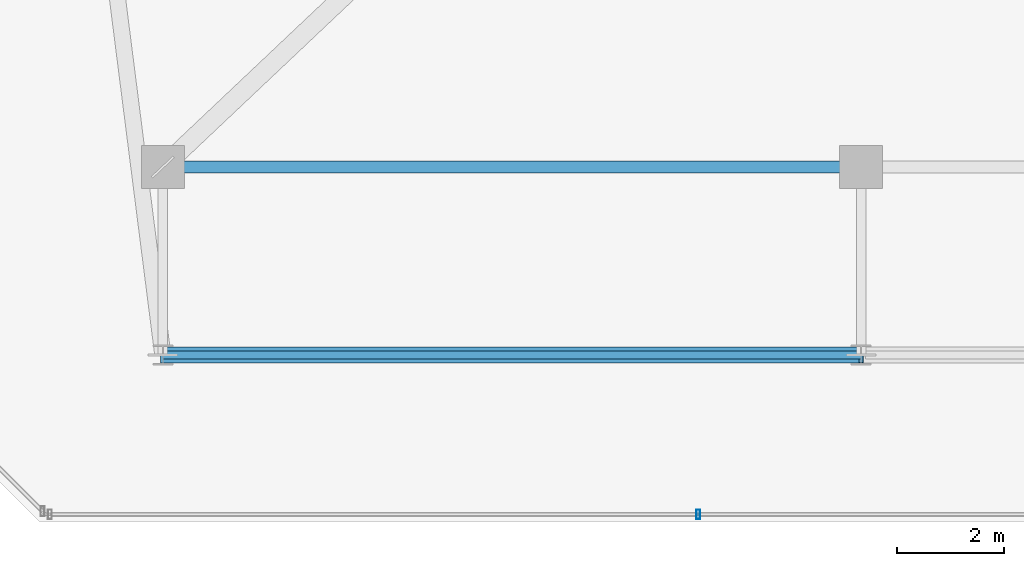
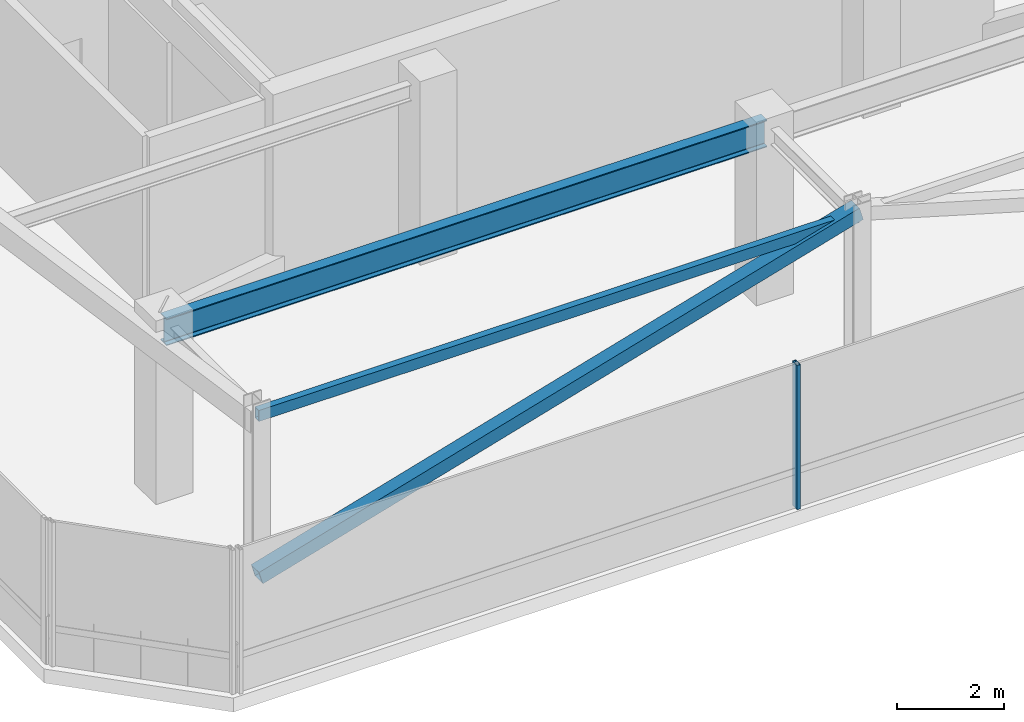
# One storey, part 6 of 47: 2 beams, 2 members, 1 element without a shape of its own.
"""IFC4 building model written with IfcOpenShell, lengths in metres."""

from ifc_helpers import new_model, si_unit, direction, frame, origin, origin_2d, place, context, subcontext, project, spatial, hollow_rectangle, i_section, extrude, material, material_profile, profile_set, type_object, element, aggregate, save


model = new_model("IFC4")

# Units and contexts
model_context = context("Model", 3, precision=1e-05, world=origin(), true_north=direction((0.0, 1.0)))
body_context = subcontext(model_context, "Body", "Model", "MODEL_VIEW")
ifc_project = project(units=[si_unit("LENGTHUNIT", "METRE"), si_unit("AREAUNIT", "SQUARE_METRE"), si_unit("VOLUMEUNIT", "CUBIC_METRE"), si_unit("PLANEANGLEUNIT", "RADIAN"), si_unit("MASSUNIT", "GRAM", prefix="KILO")], contexts=[model_context])

# Site, building, storey
site_placement = place(None, origin())
site = spatial("IfcSite", under=ifc_project, at=site_placement, CompositionType="ELEMENT")
building_placement = place(site_placement, origin())
building = spatial("IfcBuilding", under=site, at=building_placement, Name="Thornwick Lancets Civic Towers", CompositionType="ELEMENT")
storey_placement = place(building_placement, frame((0.0, 0.0, 279.89990234375)))
storey = spatial("IfcBuildingStorey", under=building, at=storey_placement, Name="C01", CompositionType="ELEMENT", Elevation=279.89990234375)

# Beams
ifc_material_1 = material(Name="Steel S355JR", Category="steel")
ifc_material_profile_1 = material_profile(ifc_material_1, hollow_rectangle(XDim=0.14990234375, YDim=0.25, WallThickness=0.012451171875, at=origin_2d()), Name="RHS 250x150x12.5")
ifc_profile_set_1 = profile_set([ifc_material_profile_1], Name="Steel S355JR")
beam_type_1 = type_object("IfcBeamType", Name="BM_CROWN_RHS250", PredefinedType="BEAM", material=ifc_profile_set_1)
beam_1_placement = place(storey_placement, frame((12.5, 6.199951171875, 3.815185546875), z_axis=(1.0, 0.0, 0.0), x_axis=(0.0, 1.0, 0.0)))
element("IfcBeam", 1, at=beam_1_placement, inside=storey, type_object=beam_type_1, Name="BM-EDGE-C01-A-S0-1", PredefinedType="BEAM", context=body_context, shape_type="SweptSolid", body=[
    extrude(hollow_rectangle(XDim=0.14990234375, YDim=0.25, WallThickness=0.012451171875, at=origin_2d()), origin(), (0.0, 0.0, 1.0), 13.0),
])
ifc_material_profile_2 = material_profile(ifc_material_1, i_section(OverallWidth=0.230224609375, OverallDepth=0.6171875, WebThickness=0.01318359375, FlangeThickness=0.022216796875, FilletRadius=0.0126953125, at=origin_2d()), Name="UKB 610x229x140")
ifc_profile_set_2 = profile_set([ifc_material_profile_2], Name="Steel S355JR")
beam_type_2 = type_object("IfcBeamType", Name="BM_GIRD_610_140", PredefinedType="BEAM", material=ifc_profile_set_2)
beam_2_placement = place(storey_placement, frame((12.5, 9.699951171875, 3.631591796875), z_axis=(1.0, 0.0, 0.0), x_axis=(0.0, 1.0, 0.0)))
element("IfcBeam", 2, at=beam_2_placement, inside=storey, type_object=beam_type_2, Name="BM-SPINE-C01-A-0-1", PredefinedType="BEAM", context=body_context, shape_type="SweptSolid", body=[
    extrude(i_section(OverallWidth=0.230224609375, OverallDepth=0.6171875, WebThickness=0.01318359375, FlangeThickness=0.022216796875, FilletRadius=0.0126953125, at=origin_2d()), origin(), (0.0, 0.0, 1.0), 13.0),
])

# Curtain wall, member
ifc_material_2 = material(Name="Crown ring acoustic-louvre and glazing screen wall", Category="glass")
curtain_wall_type = type_object("IfcCurtainWallType", Name="CW_SYS_07", PredefinedType="NOTDEFINED", material=ifc_material_2)
curtain_wall_placement = place(storey_placement, origin())
curtain_wall = element("IfcCurtainWall", 3, at=curtain_wall_placement, inside=storey, type_object=curtain_wall_type, Name="C01 Curtain Wall CW-C01-A-E0", PredefinedType="NOTDEFINED")
ifc_material_3 = material(Name="Thermally broken bronze aluminium S355", Category="steel")
ifc_material_profile_3 = material_profile(ifc_material_3, hollow_rectangle(XDim=0.074951171875, YDim=0.179931640625, WallThickness=0.006103515625, at=origin_2d()), Name="RHS 180x75x6")
ifc_profile_set_3 = profile_set([ifc_material_profile_3], Name="Thermally broken bronze aluminium S355")
member_type_1 = type_object("IfcMemberType", Name="CW_MUL_180", PredefinedType="MULLION", material=ifc_profile_set_3)
member_1_placement = place(storey_placement, frame((22.46630859375, 3.2353515625, 0.0), z_axis=(0.0, 0.0, 1.0), x_axis=(1.0, 0.0, 0.0)))
member_1 = element("IfcMember", 4, at=member_1_placement, type_object=member_type_1, Name="CW-C01-A-E0 Mullion 1", PredefinedType="MULLION", context=body_context, shape_type="SweptSolid", body=[
    extrude(hollow_rectangle(XDim=0.074951171875, YDim=0.179931640625, WallThickness=0.006103515625, at=origin_2d()), origin(), (0.0, 0.0, 1.0), 3.300048828125),
])
aggregate(curtain_wall, [member_1])

# Member
ifc_material_4 = material(Name="Steel S460M", Category="steel")
ifc_material_profile_4 = material_profile(ifc_material_4, hollow_rectangle(XDim=0.300048828125, YDim=0.300048828125, WallThickness=0.01611328125, at=origin_2d()), Name="SHS 300x300x16")
ifc_profile_set_4 = profile_set([ifc_material_profile_4], Name="Steel S460M")
member_type_2 = type_object("IfcMemberType", Name="MEM_BELT_SHS300", PredefinedType="BRACE", material=ifc_profile_set_4)
member_2_placement = place(storey_placement, frame((12.5, 6.199951171875, 0.150146484375), z_axis=(0.960032302388, 0.0, 0.279889225178), x_axis=(0.0, 1.0, 0.0)))
element("IfcMember", 5, at=member_2_placement, inside=storey, type_object=member_type_2, Name="C01 Belt Truss Diagonal A-S0-1", PredefinedType="BRACE", context=body_context, shape_type="SweptSolid", body=[
    extrude(hollow_rectangle(XDim=0.300048828125, YDim=0.300048828125, WallThickness=0.01611328125, at=origin_2d()), origin(), (0.0, 0.0, 1.0), 13.541259765625),
])

save(model, "model.ifc")
